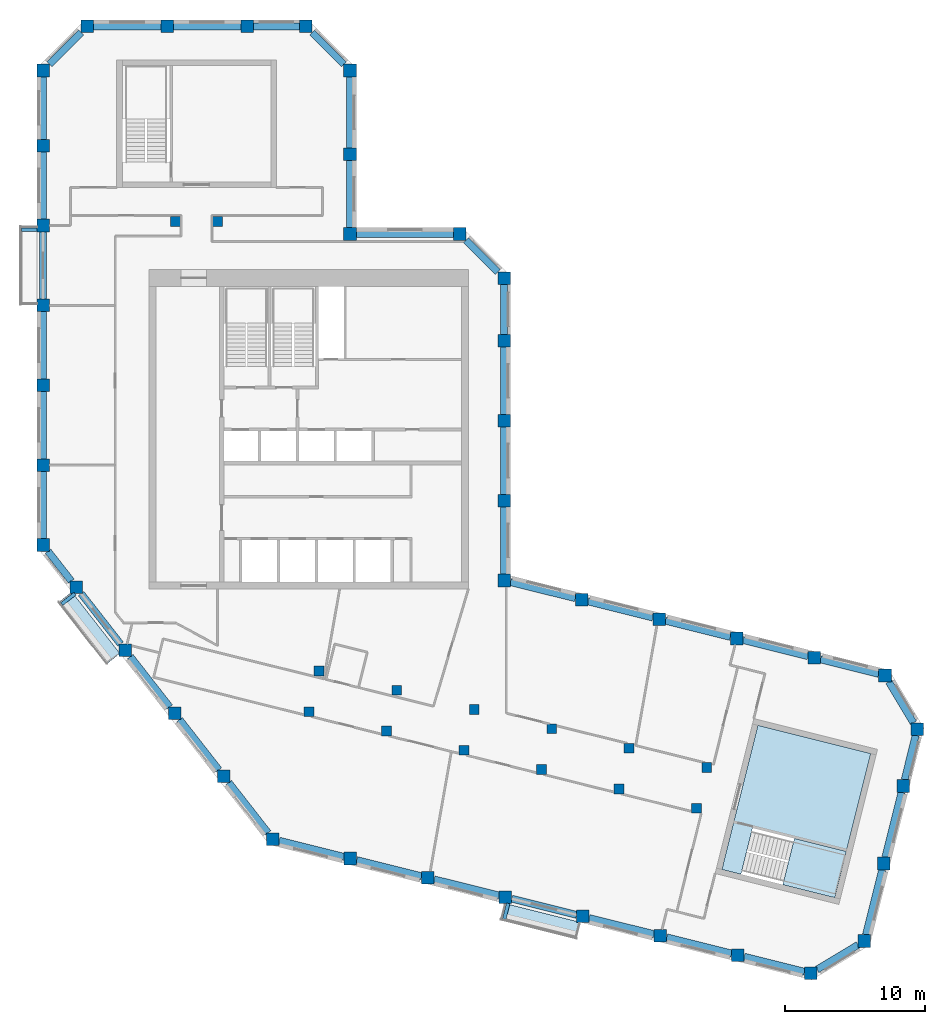
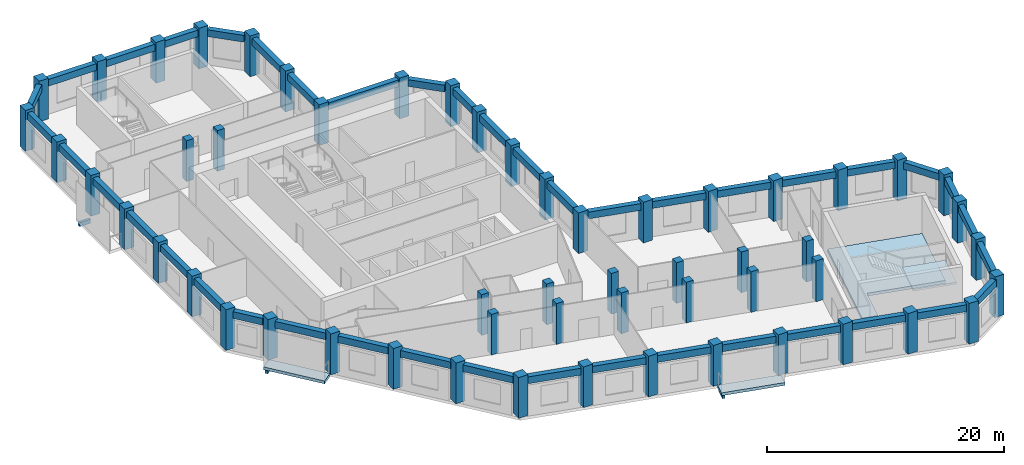
# One storey, part 1 of 8: 55 columns, 44 beams, 4 slabs, 1 element without a shape of its own.
"""IFC4 building model written with IfcOpenShell, lengths in metres."""

from ifc_helpers import new_model, si_unit, direction, frame, origin, origin_2d, place, context, subcontext, project, spatial, polyline, rectangle, outline, extrude, material, layer, layer_set, material_profile, profile_set, type_object, element, aggregate, save


model = new_model("IFC4")

# Units and contexts
model_context = context("Model", 3, precision=1e-05, world=origin(), true_north=direction((0.0, 1.0)))
body_context = subcontext(model_context, "Body", "Model", "MODEL_VIEW")
ifc_project = project(units=[si_unit("LENGTHUNIT", "METRE"), si_unit("AREAUNIT", "SQUARE_METRE"), si_unit("VOLUMEUNIT", "CUBIC_METRE"), si_unit("PLANEANGLEUNIT", "RADIAN"), si_unit("MASSUNIT", "GRAM", prefix="KILO")], contexts=[model_context])

# Site, building, storey
site_placement = place(None, origin())
site = spatial("IfcSite", under=ifc_project, at=site_placement, CompositionType="ELEMENT")
building_placement = place(site_placement, origin())
building = spatial("IfcBuilding", under=site, at=building_placement, Name="Meshkara Civic Tower", CompositionType="ELEMENT")
storey_placement = place(building_placement, frame((0.0, 0.0, 379.199951171875)))
storey = spatial("IfcBuildingStorey", under=building, at=storey_placement, Name="L87", CompositionType="ELEMENT", Elevation=379.199951171875)

# Columns
ifc_material_1 = material(Name="Concrete C50", Category="concrete")
ifc_material_profile_1 = material_profile(ifc_material_1, rectangle(XDim=0.699951171875, YDim=0.699951171875, at=origin_2d()))
ifc_profile_set_1 = profile_set([ifc_material_profile_1], Name="Concrete C50")
column_type_1 = type_object("IfcColumnType", Name="Interior column RC 700x700 C50", PredefinedType="COLUMN", material=ifc_profile_set_1)
for number, where, z_axis, x_axis, name in (
    (1, (9.89990234375, 40.35009765625, 0.0), (0.0, 0.0, 1.0), (1.0, 0.0, 0.0), "Column SA1-04 L87"),
    (2, (12.89990234375, 40.35009765625, 0.0), (0.0, 0.0, 1.0), (1.0, 0.0, 0.0), "Column SA2-04 L87"),
    (3, (19.424072265625, 5.360107421875, 0.0), (0.0, 0.0, 1.0), (1.0, 0.0, 0.0), "Column SB1-00 L87"),
    (4, (24.9541015625, 3.98095703125, 0.0), (0.0, 0.0, 1.0), (1.0, 0.0, 0.0), "Column SB1-01 L87"),
    (5, (30.485107421875, 2.60205078125, 0.0), (0.0, 0.0, 1.0), (1.0, 0.0, 0.0), "Column SB1-02 L87"),
    (6, (36.01611328125, 1.222900390625, 0.0), (0.0, 0.0, 1.0), (1.0, 0.0, 0.0), "Column SB1-03 L87"),
    (7, (41.5458984375, -0.156005859375, 0.0), (0.0, 0.0, 1.0), (1.0, 0.0, 0.0), "Column SB1-04 L87"),
    (8, (47.076904296875, -1.534912109375, 0.0), (0.0, 0.0, 1.0), (1.0, 0.0, 0.0), "Column SB1-05 L87"),
    (9, (20.14892578125, 8.27099609375, 0.0), (0.0, 0.0, 1.0), (1.0, 0.0, 0.0), "Column SB2-00 L87"),
    (10, (25.679931640625, 6.89208984375, 0.0), (0.0, 0.0, 1.0), (1.0, 0.0, 0.0), "Column SB2-01 L87"),
    (11, (31.2109375, 5.512939453125, 0.0), (0.0, 0.0, 1.0), (1.0, 0.0, 0.0), "Column SB2-02 L87"),
    (12, (36.741943359375, 4.134033203125, 0.0), (0.0, 0.0, 1.0), (1.0, 0.0, 0.0), "Column SB2-03 L87"),
    (13, (42.27197265625, 2.7548828125, 0.0), (0.0, 0.0, 1.0), (1.0, 0.0, 0.0), "Column SB2-04 L87"),
    (14, (47.802978515625, 1.3759765625, 0.0), (0.0, 0.0, 1.0), (1.0, 0.0, 0.0), "Column SB2-05 L87"),
):
    element("IfcColumn", number, at=place(storey_placement, frame(where, z_axis=z_axis, x_axis=x_axis)), inside=storey, type_object=column_type_1, Name=name, PredefinedType="COLUMN", context=body_context, shape_type="SweptSolid", body=[
        extrude(rectangle(XDim=0.699951171875, YDim=0.699951171875, at=origin_2d()), origin(), (0.0, 0.0, 1.0), 4.199951171875),
    ])
ifc_material_2 = material(Name="Concrete C50", Category="concrete")
ifc_material_profile_2 = material_profile(ifc_material_2, rectangle(XDim=0.89990234375, YDim=0.89990234375, at=origin_2d()))
ifc_profile_set_2 = profile_set([ifc_material_profile_2], Name="Concrete C50")
column_type_2 = type_object("IfcColumnType", Name="Perimeter column RC 900x900 C50", PredefinedType="COLUMN", material=ifc_profile_set_2)
for number, where, z_axis, x_axis, name in (
    (15, (33.35009765625, 14.718994140625, 0.0), (0.0, 0.0, 1.0), (1.0, 0.0, 0.0), "Column HE00 L87"),
    (16, (33.35009765625, 20.4189453125, 0.0), (0.0, 0.0, 1.0), (1.0, 0.0, 0.0), "Column HE01 L87"),
    (17, (33.35009765625, 26.118896484375, 0.0), (0.0, 0.0, 1.0), (1.0, 0.0, 0.0), "Column HE02 L87"),
    (18, (33.35009765625, 31.819091796875, 0.0), (0.0, 0.0, 1.0), (1.0, 0.0, 0.0), "Column HE03 L87"),
    (19, (33.35009765625, 36.2939453125, 0.0), (0.0, 0.0, 1.0), (1.0, 0.0, 0.0), "Column HEE L87"),
    (20, (30.194091796875, 39.449951171875, 0.0), (0.0, 0.0, 1.0), (1.0, 0.0, 0.0), "Column HCeE L87"),
    (21, (22.35009765625, 39.449951171875, 0.0), (0.0, 0.0, 1.0), (1.0, 0.0, 0.0), "Column HN00 L87"),
    (22, (22.35009765625, 45.14990234375, 0.0), (0.0, 0.0, 1.0), (1.0, 0.0, 0.0), "Column AE01 L87"),
    (23, (22.35009765625, 51.114013671875, 0.0), (0.0, 0.0, 1.0), (1.0, 0.0, 0.0), "Column AEEP5 L87"),
    (24, (19.194091796875, 54.27001953125, 0.0), (0.0, 0.0, 1.0), (1.0, 0.0, 0.0), "Column ATiEP5 L87"),
    (25, (3.60595703125, 54.27001953125, 0.0), (0.0, 0.0, 1.0), (1.0, 0.0, 0.0), "Column AT00-P5 L87"),
    (26, (9.305908203125, 54.27001953125, 0.0), (0.0, 0.0, 1.0), (1.0, 0.0, 0.0), "Column AT01-P5 L87"),
    (27, (15.006103515625, 54.27001953125, 0.0), (0.0, 0.0, 1.0), (1.0, 0.0, 0.0), "Column AT02-P5 L87"),
    (28, (0.449951171875, 51.114013671875, 0.0), (0.0, 0.0, 1.0), (1.0, 0.0, 0.0), "Column ATo00-P5 L87"),
    (29, (0.449951171875, 17.2548828125, 0.0), (0.0, 0.0, 1.0), (1.0, 0.0, 0.0), "Column AW00 L87"),
    (30, (0.449951171875, 22.955078125, 0.0), (0.0, 0.0, 1.0), (1.0, 0.0, 0.0), "Column AW01 L87"),
    (31, (0.449951171875, 28.655029296875, 0.0), (0.0, 0.0, 1.0), (1.0, 0.0, 0.0), "Column AW02 L87"),
    (32, (0.449951171875, 34.35498046875, 0.0), (0.0, 0.0, 1.0), (1.0, 0.0, 0.0), "Column AW03 L87"),
    (33, (0.449951171875, 40.054931640625, 0.0), (0.0, 0.0, 1.0), (1.0, 0.0, 0.0), "Column AW04 L87"),
    (34, (0.449951171875, 45.7548828125, 0.0), (0.0, 0.0, 1.0), (1.0, 0.0, 0.0), "Column AW05 L87"),
    (35, (16.85107421875, -3.738037109375, 0.0), (0.0, 0.0, 1.0), (1.0, 0.0, 0.0), "Column BOW00 L87"),
    (36, (13.342041015625, 0.75390625, 0.0), (0.0, 0.0, 1.0), (1.0, 0.0, 0.0), "Column BOW01 L87"),
    (37, (9.8330078125, 5.2451171875, 0.0), (0.0, 0.0, 1.0), (1.0, 0.0, 0.0), "Column BOW02 L87"),
    (38, (6.322998046875, 9.737060546875, 0.0), (0.0, 0.0, 1.0), (1.0, 0.0, 0.0), "Column BOW03 L87"),
    (39, (2.81396484375, 14.22900390625, 0.0), (0.0, 0.0, 1.0), (1.0, 0.0, 0.0), "Column BOW04 L87"),
    (40, (22.382080078125, -5.116943359375, 0.0), (0.0, 0.0, 1.0), (1.0, 0.0, 0.0), "Column BS01 L87"),
    (41, (27.912109375, -6.49609375, 0.0), (0.0, 0.0, 1.0), (1.0, 0.0, 0.0), "Column BS02 L87"),
    (42, (33.443115234375, -7.875, 0.0), (0.0, 0.0, 1.0), (1.0, 0.0, 0.0), "Column BS03 L87"),
    (43, (38.97412109375, -9.25390625, 0.0), (0.0, 0.0, 1.0), (1.0, 0.0, 0.0), "Column BS04 L87"),
    (44, (44.50390625, -10.633056640625, 0.0), (0.0, 0.0, 1.0), (1.0, 0.0, 0.0), "Column BS05-P4 L87"),
    (45, (50.034912109375, -12.011962890625, 0.0), (0.0, 0.0, 1.0), (1.0, 0.0, 0.0), "Column BS06-P4 L87"),
    (46, (55.235107421875, -13.30810546875, 0.0), (0.0, 0.0, 1.0), (1.0, 0.0, 0.0), "Column BSEP5 L87"),
    (47, (59.06103515625, -11.009033203125, 0.0), (0.0, 0.0, 1.0), (1.0, 0.0, 0.0), "Column BToEP5 L87"),
    (48, (60.43994140625, -5.47802734375, 0.0), (0.0, 0.0, 1.0), (1.0, 0.0, 0.0), "Column BT01-P5 L87"),
    (49, (61.819091796875, 0.052001953125, 0.0), (0.0, 0.0, 1.0), (1.0, 0.0, 0.0), "Column BT02-P5 L87"),
    (50, (62.83203125, 4.114990234375, 0.0), (0.0, 0.0, 1.0), (1.0, 0.0, 0.0), "Column BTEP5 L87"),
    (51, (60.532958984375, 7.94091796875, 0.0), (0.0, 0.0, 1.0), (1.0, 0.0, 0.0), "Column BTi00-P5 L87"),
    (52, (38.881103515625, 13.340087890625, 0.0), (0.0, 0.0, 1.0), (1.0, 0.0, 0.0), "Column BN01 L87"),
    (53, (44.410888671875, 11.9609375, 0.0), (0.0, 0.0, 1.0), (1.0, 0.0, 0.0), "Column BN02 L87"),
    (54, (49.94189453125, 10.58203125, 0.0), (0.0, 0.0, 1.0), (1.0, 0.0, 0.0), "Column BN03 L87"),
    (55, (55.472900390625, 9.202880859375, 0.0), (0.0, 0.0, 1.0), (1.0, 0.0, 0.0), "Column BN04 L87"),
):
    element("IfcColumn", number, at=place(storey_placement, frame(where, z_axis=z_axis, x_axis=x_axis)), inside=storey, type_object=column_type_2, Name=name, PredefinedType="COLUMN", context=body_context, shape_type="SweptSolid", body=[
        extrude(rectangle(XDim=0.89990234375, YDim=0.89990234375, at=origin_2d()), origin(), (0.0, 0.0, 1.0), 4.199951171875),
    ])

# Beams
ifc_material_3 = material(Name="Concrete C50", Category="concrete")
ifc_material_profile_3 = material_profile(ifc_material_3, rectangle(XDim=0.25, YDim=0.39990234375, at=origin_2d()))
ifc_profile_set_3 = profile_set([ifc_material_profile_3], Name="Concrete C50")
beam_type_1 = type_object("IfcBeamType", Name="Balcony bracket beam RC 250x400 C50", PredefinedType="BEAM", material=ifc_profile_set_3)
beam_1_placement = place(storey_placement, frame((0.0048828125, 39.7548828125, -0.5), z_axis=(-1.0, 0.0, 0.0), x_axis=(0.0, -1.0, 0.0)))
element("IfcBeam", 56, at=beam_1_placement, inside=storey, type_object=beam_type_1, Name="Balcony bracket beam", PredefinedType="BEAM", context=body_context, shape_type="SweptSolid", body=[
    extrude(rectangle(XDim=0.25, YDim=0.39990234375, at=origin_2d()), origin(), (0.0, 0.0, 1.0), 1.10498046875),
])
beam_2_placement = place(storey_placement, frame((2.72900390625, 13.781982421875, -0.5), z_axis=(-0.787935516058, -0.61575776287, 0.0), x_axis=(0.61575776287, -0.787935516058, 0.0)))
element("IfcBeam", 57, at=beam_2_placement, inside=storey, type_object=beam_type_1, Name="Balcony bracket beam", PredefinedType="BEAM", context=body_context, shape_type="SweptSolid", body=[
    extrude(rectangle(XDim=0.25, YDim=0.39990234375, at=origin_2d()), origin(), (0.0, 0.0, 1.0), 1.2080078125),
])
beam_3_placement = place(storey_placement, frame((33.64111328125, -8.320068359375, -0.5), z_axis=(-0.242141318308, -0.970240991697, 0.0), x_axis=(0.970240991697, -0.242141318308, 0.0)))
element("IfcBeam", 58, at=beam_3_placement, inside=storey, type_object=beam_type_1, Name="Balcony bracket beam", PredefinedType="BEAM", context=body_context, shape_type="SweptSolid", body=[
    extrude(rectangle(XDim=0.25, YDim=0.39990234375, at=origin_2d()), origin(), (0.0, 0.0, 1.0), 1.16552734375),
])
ifc_material_4 = material(Name="Concrete C50", Category="concrete")
ifc_material_profile_4 = material_profile(ifc_material_4, rectangle(XDim=0.5, YDim=0.699951171875, at=origin_2d()))
ifc_profile_set_4 = profile_set([ifc_material_profile_4], Name="Concrete C50")
beam_type_2 = type_object("IfcBeamType", Name="Spandrel beam RC 500x700 C50", PredefinedType="BEAM", material=ifc_profile_set_4)
for number, where, z_axis, x_axis, name in (
    (59, (55.02783203125, 9.31396484375, 3.550048828125), (-0.970298442389, 0.241911001604, 0.0), (-0.241911001604, -0.970298442389, 0.0), "Spandrel beam BN03-BN04"),
    (60, (49.496826171875, 10.693115234375, 3.550048828125), (-0.970298442389, 0.241911001604, 0.0), (-0.241911001604, -0.970298442389, 0.0), "Spandrel beam BN02-BN03"),
):
    element("IfcBeam", number, at=place(storey_placement, frame(where, z_axis=z_axis, x_axis=x_axis)), inside=storey, type_object=beam_type_2, Name=name, PredefinedType="BEAM", context=body_context, shape_type="SweptSolid", body=[
        extrude(rectangle(XDim=0.5, YDim=0.699951171875, at=origin_2d()), origin(), (0.0, 0.0, 1.0), 4.78271484375),
    ])
beam_4_placement = place(storey_placement, frame((43.9658203125, 12.072021484375, 3.550048828125), z_axis=(-0.970286489601, 0.241958938867, 0.0), x_axis=(-0.241958938867, -0.970286489601, 0.0)))
element("IfcBeam", 61, at=beam_4_placement, inside=storey, type_object=beam_type_2, Name="Spandrel beam BN01-BN02", PredefinedType="BEAM", context=body_context, shape_type="SweptSolid", body=[
    extrude(rectangle(XDim=0.5, YDim=0.699951171875, at=origin_2d()), origin(), (0.0, 0.0, 1.0), 4.78173828125),
])
beam_5_placement = place(storey_placement, frame((38.435791015625, 13.450927734375, 3.550048828125), z_axis=(-0.970298442389, 0.241911001604, 0.0), x_axis=(-0.241911001604, -0.970298442389, 0.0)))
element("IfcBeam", 62, at=beam_5_placement, inside=storey, type_object=beam_type_2, Name="Spandrel beam BN01-HE00", PredefinedType="BEAM", context=body_context, shape_type="SweptSolid", body=[
    extrude(rectangle(XDim=0.5, YDim=0.699951171875, at=origin_2d()), origin(), (0.0, 0.0, 1.0), 4.78271484375),
])
for number, where, z_axis, x_axis, name in (
    (63, (33.35009765625, 15.1640625, 3.550048828125), (0.0, 1.0, 0.0), (-1.0, 0.0, 0.0), "Spandrel beam HE00-HE01"),
    (64, (33.35009765625, 20.864013671875, 3.550048828125), (0.0, 1.0, 0.0), (-1.0, 0.0, 0.0), "Spandrel beam HE01-HE02"),
    (65, (33.35009765625, 26.56396484375, 3.550048828125), (0.0, 1.0, 0.0), (-1.0, 0.0, 0.0), "Spandrel beam HE02-HE03"),
):
    element("IfcBeam", number, at=place(storey_placement, frame(where, z_axis=z_axis, x_axis=x_axis)), inside=storey, type_object=beam_type_2, Name=name, PredefinedType="BEAM", context=body_context, shape_type="SweptSolid", body=[
        extrude(rectangle(XDim=0.5, YDim=0.699951171875, at=origin_2d()), origin(), (0.0, 0.0, 1.0), 4.81005859375),
    ])
beam_6_placement = place(storey_placement, frame((33.35009765625, 32.263916015625, 3.550048828125), z_axis=(0.0, 1.0, 0.0), x_axis=(-1.0, 0.0, 0.0)))
element("IfcBeam", 66, at=beam_6_placement, inside=storey, type_object=beam_type_2, Name="Spandrel beam HE03-HEE", PredefinedType="BEAM", context=body_context, shape_type="SweptSolid", body=[
    extrude(rectangle(XDim=0.5, YDim=0.699951171875, at=origin_2d()), origin(), (0.0, 0.0, 1.0), 3.585205078125),
])
beam_7_placement = place(storey_placement, frame((32.903564453125, 36.740478515625, 3.550048828125), z_axis=(-0.707144921739, 0.707068638576, 0.0), x_axis=(-0.707068638576, -0.707144921739, 0.0)))
element("IfcBeam", 67, at=beam_7_placement, inside=storey, type_object=beam_type_2, Name="Spandrel beam HCeE-HEE", PredefinedType="BEAM", context=body_context, shape_type="SweptSolid", body=[
    extrude(rectangle(XDim=0.5, YDim=0.699951171875, at=origin_2d()), origin(), (0.0, 0.0, 1.0), 3.200439453125),
])
beam_8_placement = place(storey_placement, frame((29.7490234375, 39.449951171875, 3.550048828125), z_axis=(-1.0, 0.0, 0.0), x_axis=(0.0, -1.0, 0.0)))
element("IfcBeam", 68, at=beam_8_placement, inside=storey, type_object=beam_type_2, Name="Spandrel beam HCeE-HN00", PredefinedType="BEAM", context=body_context, shape_type="SweptSolid", body=[
    extrude(rectangle(XDim=0.5, YDim=0.699951171875, at=origin_2d()), origin(), (0.0, 0.0, 1.0), 6.9541015625),
])
beam_9_placement = place(storey_placement, frame((22.35009765625, 39.89501953125, 3.550048828125), z_axis=(0.0, 1.0, 0.0), x_axis=(-1.0, 0.0, 0.0)))
element("IfcBeam", 69, at=beam_9_placement, inside=storey, type_object=beam_type_2, Name="Spandrel beam AE01-HN00", PredefinedType="BEAM", context=body_context, shape_type="SweptSolid", body=[
    extrude(rectangle(XDim=0.5, YDim=0.699951171875, at=origin_2d()), origin(), (0.0, 0.0, 1.0), 4.81005859375),
])
beam_10_placement = place(storey_placement, frame((22.35009765625, 45.594970703125, 3.550048828125), z_axis=(0.0, 1.0, 0.0), x_axis=(-1.0, 0.0, 0.0)))
element("IfcBeam", 70, at=beam_10_placement, inside=storey, type_object=beam_type_2, Name="Spandrel beam AE01-AEEP5", PredefinedType="BEAM", context=body_context, shape_type="SweptSolid", body=[
    extrude(rectangle(XDim=0.5, YDim=0.699951171875, at=origin_2d()), origin(), (0.0, 0.0, 1.0), 5.073974609375),
])
beam_11_placement = place(storey_placement, frame((21.903564453125, 51.560546875, 3.550048828125), z_axis=(-0.707144921739, 0.707068638576, 0.0), x_axis=(-0.707068638576, -0.707144921739, 0.0)))
element("IfcBeam", 71, at=beam_11_placement, inside=storey, type_object=beam_type_2, Name="Spandrel beam AEEP5-ATiEP5", PredefinedType="BEAM", context=body_context, shape_type="SweptSolid", body=[
    extrude(rectangle(XDim=0.5, YDim=0.699951171875, at=origin_2d()), origin(), (0.0, 0.0, 1.0), 3.200439453125),
])
beam_12_placement = place(storey_placement, frame((18.7490234375, 54.27001953125, 3.550048828125), z_axis=(-1.0, 0.0, 0.0), x_axis=(0.0, -1.0, 0.0)))
element("IfcBeam", 72, at=beam_12_placement, inside=storey, type_object=beam_type_2, Name="Spandrel beam AT02-P5-ATiEP5", PredefinedType="BEAM", context=body_context, shape_type="SweptSolid", body=[
    extrude(rectangle(XDim=0.5, YDim=0.699951171875, at=origin_2d()), origin(), (0.0, 0.0, 1.0), 3.298095703125),
])
for number, where, z_axis, x_axis, name in (
    (73, (14.56103515625, 54.27001953125, 3.550048828125), (-1.0, 0.0, 0.0), (0.0, -1.0, 0.0), "Spandrel beam AT01-P5-AT02-P5"),
    (74, (8.861083984375, 54.27001953125, 3.550048828125), (-1.0, 0.0, 0.0), (0.0, -1.0, 0.0), "Spandrel beam AT00-P5-AT01-P5"),
):
    element("IfcBeam", number, at=place(storey_placement, frame(where, z_axis=z_axis, x_axis=x_axis)), inside=storey, type_object=beam_type_2, Name=name, PredefinedType="BEAM", context=body_context, shape_type="SweptSolid", body=[
        extrude(rectangle(XDim=0.5, YDim=0.699951171875, at=origin_2d()), origin(), (0.0, 0.0, 1.0), 4.81005859375),
    ])
beam_13_placement = place(storey_placement, frame((3.159423828125, 53.823486328125, 3.550048828125), z_axis=(-0.707106781187, -0.707106781187, 0.0), x_axis=(0.707106781187, -0.707106781187, 0.0)))
element("IfcBeam", 75, at=beam_13_placement, inside=storey, type_object=beam_type_2, Name="Spandrel beam AT00-P5-ATo00-P5", PredefinedType="BEAM", context=body_context, shape_type="SweptSolid", body=[
    extrude(rectangle(XDim=0.5, YDim=0.699951171875, at=origin_2d()), origin(), (0.0, 0.0, 1.0), 3.2001953125),
])
beam_14_placement = place(storey_placement, frame((0.449951171875, 50.6689453125, 3.550048828125), z_axis=(0.0, -1.0, 0.0), x_axis=(1.0, 0.0, 0.0)))
element("IfcBeam", 76, at=beam_14_placement, inside=storey, type_object=beam_type_2, Name="Spandrel beam ATo00-P5-AW05", PredefinedType="BEAM", context=body_context, shape_type="SweptSolid", body=[
    extrude(rectangle(XDim=0.5, YDim=0.699951171875, at=origin_2d()), origin(), (0.0, 0.0, 1.0), 4.468994140625),
])
for number, where, z_axis, x_axis, name in (
    (77, (0.449951171875, 45.31005859375, 3.550048828125), (0.0, -1.0, 0.0), (1.0, 0.0, 0.0), "Spandrel beam AW04-AW05"),
    (78, (0.449951171875, 39.610107421875, 3.550048828125), (0.0, -1.0, 0.0), (1.0, 0.0, 0.0), "Spandrel beam AW03-AW04"),
):
    element("IfcBeam", number, at=place(storey_placement, frame(where, z_axis=z_axis, x_axis=x_axis)), inside=storey, type_object=beam_type_2, Name=name, PredefinedType="BEAM", context=body_context, shape_type="SweptSolid", body=[
        extrude(rectangle(XDim=0.5, YDim=0.699951171875, at=origin_2d()), origin(), (0.0, 0.0, 1.0), 4.81005859375),
    ])
beam_15_placement = place(storey_placement, frame((0.449951171875, 33.909912109375, 3.550048828125), z_axis=(0.0, -1.0, 0.0), x_axis=(1.0, 0.0, 0.0)))
element("IfcBeam", 79, at=beam_15_placement, inside=storey, type_object=beam_type_2, Name="Spandrel beam AW02-AW03", PredefinedType="BEAM", context=body_context, shape_type="SweptSolid", body=[
    extrude(rectangle(XDim=0.5, YDim=0.699951171875, at=origin_2d()), origin(), (0.0, 0.0, 1.0), 4.809814453125),
])
for number, where, z_axis, x_axis, name in (
    (80, (0.449951171875, 28.2099609375, 3.550048828125), (0.0, -1.0, 0.0), (1.0, 0.0, 0.0), "Spandrel beam AW01-AW02"),
    (81, (0.449951171875, 22.510009765625, 3.550048828125), (0.0, -1.0, 0.0), (1.0, 0.0, 0.0), "Spandrel beam AW00-AW01"),
):
    element("IfcBeam", number, at=place(storey_placement, frame(where, z_axis=z_axis, x_axis=x_axis)), inside=storey, type_object=beam_type_2, Name=name, PredefinedType="BEAM", context=body_context, shape_type="SweptSolid", body=[
        extrude(rectangle(XDim=0.5, YDim=0.699951171875, at=origin_2d()), origin(), (0.0, 0.0, 1.0), 4.81005859375),
    ])
beam_16_placement = place(storey_placement, frame((0.798583984375, 16.808837890625, 3.550048828125), z_axis=(0.615637043197, -0.788029841468, 0.0), x_axis=(0.788029841468, 0.615637043197, 0.0)))
element("IfcBeam", 82, at=beam_16_placement, inside=storey, type_object=beam_type_2, Name="Spandrel beam AW00-BOW04", PredefinedType="BEAM", context=body_context, shape_type="SweptSolid", body=[
    extrude(rectangle(XDim=0.5, YDim=0.699951171875, at=origin_2d()), origin(), (0.0, 0.0, 1.0), 2.707763671875),
])
beam_17_placement = place(storey_placement, frame((3.162353515625, 13.782958984375, 3.550048828125), z_axis=(0.615626410665, -0.788038147865, 0.0), x_axis=(0.788038147865, 0.615626410665, 0.0)))
element("IfcBeam", 83, at=beam_17_placement, inside=storey, type_object=beam_type_2, Name="Spandrel beam BOW03-BOW04", PredefinedType="BEAM", context=body_context, shape_type="SweptSolid", body=[
    extrude(rectangle(XDim=0.5, YDim=0.699951171875, at=origin_2d()), origin(), (0.0, 0.0, 1.0), 4.568115234375),
])
beam_18_placement = place(storey_placement, frame((6.67138671875, 9.291015625, 3.550048828125), z_axis=(0.615759141311, -0.787934438829, 0.0), x_axis=(0.787934438829, 0.615759141311, 0.0)))
element("IfcBeam", 84, at=beam_18_placement, inside=storey, type_object=beam_type_2, Name="Spandrel beam BOW02-BOW03", PredefinedType="BEAM", context=body_context, shape_type="SweptSolid", body=[
    extrude(rectangle(XDim=0.5, YDim=0.699951171875, at=origin_2d()), origin(), (0.0, 0.0, 1.0), 4.568603515625),
])
beam_19_placement = place(storey_placement, frame((10.181396484375, 4.798828125, 3.550048828125), z_axis=(0.615722879711, -0.78796277539, 0.0), x_axis=(0.78796277539, 0.615722879711, 0.0)))
element("IfcBeam", 85, at=beam_19_placement, inside=storey, type_object=beam_type_2, Name="Spandrel beam BOW01-BOW02", PredefinedType="BEAM", context=body_context, shape_type="SweptSolid", body=[
    extrude(rectangle(XDim=0.5, YDim=0.699951171875, at=origin_2d()), origin(), (0.0, 0.0, 1.0), 4.56689453125),
])
beam_20_placement = place(storey_placement, frame((13.6904296875, 0.307861328125, 3.550048828125), z_axis=(0.615626410665, -0.788038147865, 0.0), x_axis=(0.788038147865, 0.615626410665, 0.0)))
element("IfcBeam", 86, at=beam_20_placement, inside=storey, type_object=beam_type_2, Name="Spandrel beam BOW00-BOW01", PredefinedType="BEAM", context=body_context, shape_type="SweptSolid", body=[
    extrude(rectangle(XDim=0.5, YDim=0.699951171875, at=origin_2d()), origin(), (0.0, 0.0, 1.0), 4.568115234375),
])
beam_21_placement = place(storey_placement, frame((17.296142578125, -3.84912109375, 3.550048828125), z_axis=(0.970301429476, -0.241899020164, 0.0), x_axis=(0.241899020164, 0.970301429476, 0.0)))
element("IfcBeam", 87, at=beam_21_placement, inside=storey, type_object=beam_type_2, Name="Spandrel beam BOW00-BS01", PredefinedType="BEAM", context=body_context, shape_type="SweptSolid", body=[
    extrude(rectangle(XDim=0.5, YDim=0.699951171875, at=origin_2d()), origin(), (0.0, 0.0, 1.0), 4.782958984375),
])
beam_22_placement = place(storey_placement, frame((22.8271484375, -5.22802734375, 3.550048828125), z_axis=(0.970286489601, -0.241958938867, 0.0), x_axis=(0.241958938867, 0.970286489601, 0.0)))
element("IfcBeam", 88, at=beam_22_placement, inside=storey, type_object=beam_type_2, Name="Spandrel beam BS01-BS02", PredefinedType="BEAM", context=body_context, shape_type="SweptSolid", body=[
    extrude(rectangle(XDim=0.5, YDim=0.699951171875, at=origin_2d()), origin(), (0.0, 0.0, 1.0), 4.78173828125),
])
for number, where, z_axis, x_axis, name in (
    (89, (28.357177734375, -6.60693359375, 3.550048828125), (0.970298442389, -0.241911001604, 0.0), (0.241911001604, 0.970298442389, 0.0), "Spandrel beam BS02-BS03"),
    (90, (33.88818359375, -7.986083984375, 3.550048828125), (0.970298442389, -0.241911001604, 0.0), (0.241911001604, 0.970298442389, 0.0), "Spandrel beam BS03-BS04"),
):
    element("IfcBeam", number, at=place(storey_placement, frame(where, z_axis=z_axis, x_axis=x_axis)), inside=storey, type_object=beam_type_2, Name=name, PredefinedType="BEAM", context=body_context, shape_type="SweptSolid", body=[
        extrude(rectangle(XDim=0.5, YDim=0.699951171875, at=origin_2d()), origin(), (0.0, 0.0, 1.0), 4.78271484375),
    ])
beam_23_placement = place(storey_placement, frame((39.419189453125, -9.364990234375, 3.550048828125), z_axis=(0.970286489601, -0.241958938867, 0.0), x_axis=(0.241958938867, 0.970286489601, 0.0)))
element("IfcBeam", 91, at=beam_23_placement, inside=storey, type_object=beam_type_2, Name="Spandrel beam BS04-BS05-P4", PredefinedType="BEAM", context=body_context, shape_type="SweptSolid", body=[
    extrude(rectangle(XDim=0.5, YDim=0.699951171875, at=origin_2d()), origin(), (0.0, 0.0, 1.0), 4.78173828125),
])
beam_24_placement = place(storey_placement, frame((44.94921875, -10.743896484375, 3.550048828125), z_axis=(0.970298442389, -0.241911001604, 0.0), x_axis=(0.241911001604, 0.970298442389, 0.0)))
element("IfcBeam", 92, at=beam_24_placement, inside=storey, type_object=beam_type_2, Name="Spandrel beam BS05-P4-BS06-P4", PredefinedType="BEAM", context=body_context, shape_type="SweptSolid", body=[
    extrude(rectangle(XDim=0.5, YDim=0.699951171875, at=origin_2d()), origin(), (0.0, 0.0, 1.0), 4.78271484375),
])
beam_25_placement = place(storey_placement, frame((50.47998046875, -12.122802734375, 3.550048828125), z_axis=(0.97031362237, -0.241850106975, 0.0), x_axis=(0.241850106975, 0.97031362237, 0.0)))
element("IfcBeam", 93, at=beam_25_placement, inside=storey, type_object=beam_type_2, Name="Spandrel beam BS06-P4-BSEP5", PredefinedType="BEAM", context=body_context, shape_type="SweptSolid", body=[
    extrude(rectangle(XDim=0.5, YDim=0.699951171875, at=origin_2d()), origin(), (0.0, 0.0, 1.0), 4.441650390625),
])
beam_26_placement = place(storey_placement, frame((55.6806640625, -13.040283203125, 3.550048828125), z_axis=(0.857146668312, 0.515072411416, 0.0), x_axis=(-0.515072411416, 0.857146668312, 0.0)))
element("IfcBeam", 94, at=beam_26_placement, inside=storey, type_object=beam_type_2, Name="Spandrel beam BSEP5-BToEP5", PredefinedType="BEAM", context=body_context, shape_type="SweptSolid", body=[
    extrude(rectangle(XDim=0.5, YDim=0.699951171875, at=origin_2d()), origin(), (0.0, 0.0, 1.0), 3.423583984375),
])
beam_27_placement = place(storey_placement, frame((59.172119140625, -10.56396484375, 3.550048828125), z_axis=(0.241899020164, 0.970301429476, 0.0), x_axis=(-0.970301429476, 0.241899020164, 0.0)))
element("IfcBeam", 95, at=beam_27_placement, inside=storey, type_object=beam_type_2, Name="Spandrel beam BT01-P5-BToEP5", PredefinedType="BEAM", context=body_context, shape_type="SweptSolid", body=[
    extrude(rectangle(XDim=0.5, YDim=0.699951171875, at=origin_2d()), origin(), (0.0, 0.0, 1.0), 4.782958984375),
])
beam_28_placement = place(storey_placement, frame((60.551025390625, -5.032958984375, 3.550048828125), z_axis=(0.241946952825, 0.970289478464, 0.0), x_axis=(-0.970289478464, 0.241946952825, 0.0)))
element("IfcBeam", 96, at=beam_28_placement, inside=storey, type_object=beam_type_2, Name="Spandrel beam BT01-P5-BT02-P5", PredefinedType="BEAM", context=body_context, shape_type="SweptSolid", body=[
    extrude(rectangle(XDim=0.5, YDim=0.699951171875, at=origin_2d()), origin(), (0.0, 0.0, 1.0), 4.781982421875),
])
beam_29_placement = place(storey_placement, frame((61.929931640625, 0.4970703125, 3.550048828125), z_axis=(0.241903146974, 0.970300400641, 0.0), x_axis=(-0.970300400641, 0.241903146974, 0.0)))
element("IfcBeam", 97, at=beam_29_placement, inside=storey, type_object=beam_type_2, Name="Spandrel beam BT02-P5-BTEP5", PredefinedType="BEAM", context=body_context, shape_type="SweptSolid", body=[
    extrude(rectangle(XDim=0.5, YDim=0.699951171875, at=origin_2d()), origin(), (0.0, 0.0, 1.0), 3.27001953125),
])
beam_30_placement = place(storey_placement, frame((62.564208984375, 4.560791015625, 3.550048828125), z_axis=(-0.515072411416, 0.857146668312, 0.0), x_axis=(-0.857146668312, -0.515072411416, 0.0)))
element("IfcBeam", 98, at=beam_30_placement, inside=storey, type_object=beam_type_2, Name="Spandrel beam BTEP5-BTi00-P5", PredefinedType="BEAM", context=body_context, shape_type="SweptSolid", body=[
    extrude(rectangle(XDim=0.5, YDim=0.699951171875, at=origin_2d()), origin(), (0.0, 0.0, 1.0), 3.423583984375),
])
beam_31_placement = place(storey_placement, frame((60.087890625, 8.052001953125, 3.550048828125), z_axis=(-0.970272690872, 0.242014266826, 0.0), x_axis=(-0.242014266826, -0.970272690872, 0.0)))
element("IfcBeam", 99, at=beam_31_placement, inside=storey, type_object=beam_type_2, Name="Spandrel beam BN04-BTi00-P5", PredefinedType="BEAM", context=body_context, shape_type="SweptSolid", body=[
    extrude(rectangle(XDim=0.5, YDim=0.699951171875, at=origin_2d()), origin(), (0.0, 0.0, 1.0), 4.29736328125),
])

# Slabs
ifc_material_5 = material(Name="Concrete C40", Category="concrete")
ifc_layer_1 = layer(ifc_material_5, 0.300048828125)
ifc_layer_set_1 = layer_set([ifc_layer_1], Name="BALCONY SLAB")
slab_type_1 = type_object("IfcSlabType", Name="BALCONY SLAB", PredefinedType="FLOOR", material=ifc_layer_set_1)
slab_1_placement = place(storey_placement, frame((0.0, 0.0, -0.300048828125)))
element("IfcSlab", 100, at=slab_1_placement, inside=storey, type_object=slab_type_1, Name="Balcony slab", PredefinedType="FLOOR", context=body_context, shape_type="SweptSolid", body=[
    extrude(outline(polyline([(4.986083984375, 8.76904296875), (1.551025390625, 13.166015625), (2.364013671875, 13.801025390625), (2.364013671875, 13.779052734375), (2.594970703125, 13.779052734375), (5.873046875, 9.5830078125), (5.873046875, 9.4619140625), (4.986083984375, 8.76904296875)])), origin(), (0.0, 0.0, 1.0), 0.300048828125),
])
slab_2_placement = place(storey_placement, frame((0.0, 0.0, -0.300048828125)))
element("IfcSlab", 101, at=slab_2_placement, inside=storey, type_object=slab_type_1, Name="Balcony slab", PredefinedType="FLOOR", context=body_context, shape_type="SweptSolid", body=[
    extrude(outline(polyline([(38.51708984375, -10.840087890625), (33.10205078125, -9.489990234375), (33.39208984375, -8.325927734375), (38.52392578125, -9.60498046875), (38.52392578125, -9.7041015625), (38.800048828125, -9.7041015625), (38.51708984375, -10.840087890625)])), origin(), (0.0, 0.0, 1.0), 0.300048828125),
])
ifc_material_6 = material(Name="Concrete C40/50", Category="concrete")
ifc_layer_2 = layer(ifc_material_6, 0.300048828125)
ifc_layer_set_2 = layer_set([ifc_layer_2], Name="Core floor slab 300 C40/50")
slab_type_2 = type_object("IfcSlabType", Name="Core floor slab 300 C40/50", PredefinedType="FLOOR", material=ifc_layer_set_2)
slab_3_placement = place(storey_placement, frame((0.0, 0.0, -0.300048828125)))
element("IfcSlab", 102, at=slab_3_placement, inside=storey, type_object=slab_type_2, Name="Core floor EB", PredefinedType="FLOOR", context=body_context, shape_type="SweptSolid", body=[
    extrude(outline(polyline([(51.45849609375, 4.381103515625), (59.511962890625, 2.373291015625), (57.77001953125, -4.61279296875), (51.076416015625, -2.944091796875), (50.25390625, -6.242919921875), (48.89404296875, -5.90380859375), (51.45849609375, 4.381103515625)])), origin(), (0.0, 0.0, 1.0), 0.300048828125),
])

# Stair, slab
ifc_material_7 = material(Name="Precast concrete C40/50", Category="concrete")
stair_type = type_object("IfcStairType", Name="Exit stair half-turn 24 risers precast", PredefinedType="HALF_TURN_STAIR", material=ifc_material_7)
stair_placement = place(storey_placement, origin())
stair = element("IfcStair", 103, at=stair_placement, inside=storey, type_object=stair_type, Name="L87 exit stair B from L80", PredefinedType="HALF_TURN_STAIR")
ifc_material_8 = material(Name="Precast concrete C40/50", Category="concrete")
ifc_layer_3 = layer(ifc_material_8, 0.199951171875)
ifc_layer_set_3 = layer_set([ifc_layer_3], Name="Exit stair landing 200")
slab_type_3 = type_object("IfcSlabType", Name="Exit stair landing 200", PredefinedType="LANDING", material=ifc_layer_set_3)
slab_4_placement = place(storey_placement, frame((0.0, 0.0, 1.900146484375)))
slab_4 = element("IfcSlab", 104, at=slab_4_placement, type_object=slab_type_3, Name="ESB6 landing 1", PredefinedType="LANDING", context=body_context, shape_type="SweptSolid", body=[
    extrude(outline(polyline([(53.2392578125, -6.987548828125), (56.947998046875, -7.912109375), (57.7705078125, -4.612060546875), (54.0615234375, -3.687744140625), (53.2392578125, -6.987548828125)])), origin(), (0.0, 0.0, 1.0), 0.199951171875),
])
aggregate(stair, [slab_4])

save(model, "model.ifc")
